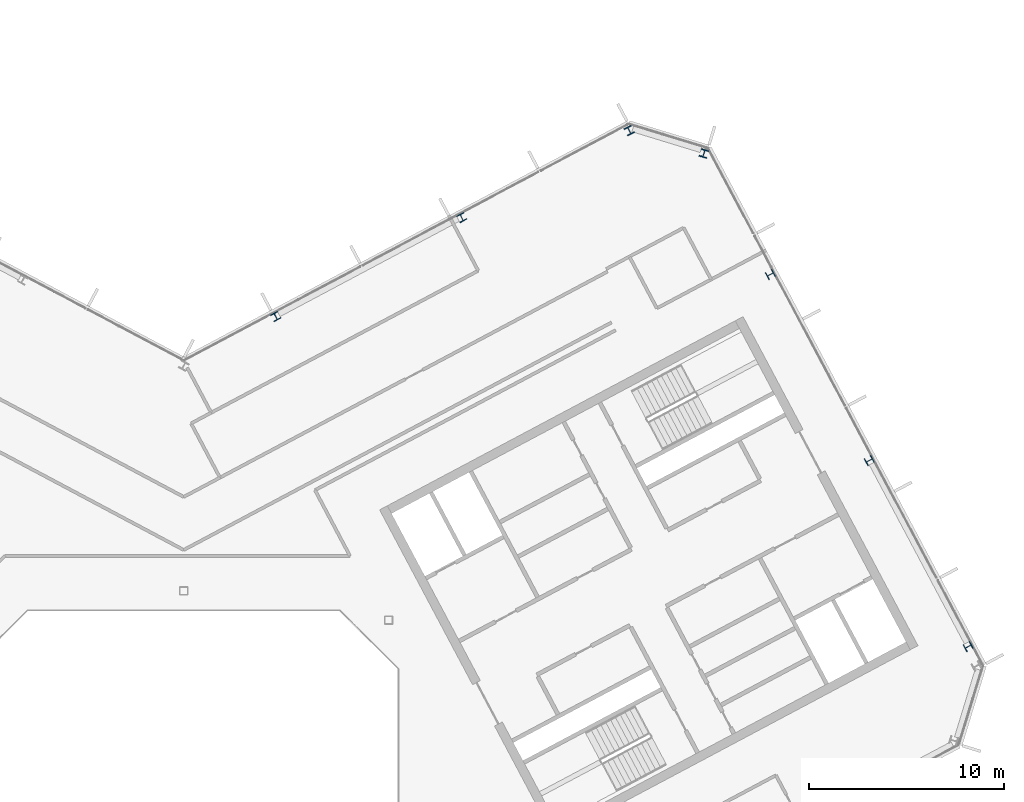
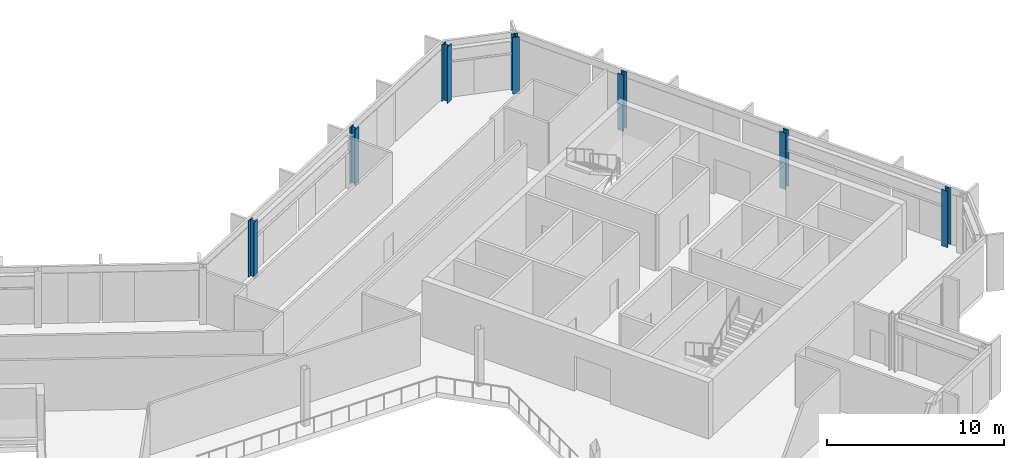
# One storey, part 7 of 26: 7 columns.
"""IFC4 building model written with IfcOpenShell, lengths in metres."""

from ifc_helpers import new_model, si_unit, direction, frame, origin, origin_2d, place, context, subcontext, project, spatial, i_section, extrude, material, material_profile, profile_set, type_object, element, save


model = new_model("IFC4")

# Units and contexts
model_context = context("Model", 3, precision=1e-05, world=origin(), true_north=direction((0.0, 1.0)))
body_context = subcontext(model_context, "Body", "Model", "MODEL_VIEW")
ifc_project = project(units=[si_unit("LENGTHUNIT", "METRE"), si_unit("AREAUNIT", "SQUARE_METRE"), si_unit("VOLUMEUNIT", "CUBIC_METRE"), si_unit("PLANEANGLEUNIT", "RADIAN"), si_unit("MASSUNIT", "GRAM", prefix="KILO")], contexts=[model_context])

# Site, building, storey
site_placement = place(None, origin())
site = spatial("IfcSite", under=ifc_project, at=site_placement, CompositionType="ELEMENT")
building_placement = place(site_placement, origin())
building = spatial("IfcBuilding", under=site, at=building_placement, Name="Cormorant Relay Tower", CompositionType="ELEMENT")
storey_placement = place(building_placement, frame((0.0, 0.0, 285.300048828125)))
storey = spatial("IfcBuildingStorey", under=building, at=storey_placement, Name="L64", CompositionType="ELEMENT", Elevation=285.300048828125)

# Columns
ifc_material_1 = material(Name="Steel ASTM A992 (Fy 345 MPa)", Category="steel")
ifc_material_profile_1 = material_profile(ifc_material_1, i_section(OverallWidth=0.398681640625, OverallDepth=0.385986328125, WebThickness=0.02099609375, FlangeThickness=0.033203125, FilletRadius=0.01513671875, at=origin_2d()), Name="W360x262")
ifc_profile_set_1 = profile_set([ifc_material_profile_1], Name="Steel ASTM A992 (Fy 345 MPa)")
column_type_1 = type_object("IfcColumnType", Name="Column W360x262", PredefinedType="COLUMN", material=ifc_profile_set_1)
for number, where, z_axis, x_axis, name in (
    (1, (40.2119140625, 9.14892578125, 0.0), (0.0, 0.0, 1.0), (-0.469471562786, 0.882947592859, 0.0), "Column L64-021"),
    (2, (35.14111328125, 18.68505859375, 0.0), (0.0, 0.0, 1.0), (-0.469471562786, 0.882947592859, 0.0), "Column L64-027"),
    (3, (4.715087890625, 26.06494140625, 0.0), (0.0, 0.0, 1.0), (-0.882947592859, -0.469471562786, 0.0), "Column L64-031"),
    (4, (30.071044921875, 28.220947265625, 0.0), (0.0, 0.0, 1.0), (-0.469471562786, 0.882947592859, 0.0), "Column L64-033"),
    (5, (14.2509765625, 31.135009765625, 0.0), (0.0, 0.0, 1.0), (-0.882947592859, -0.469471562786, 0.0), "Column L64-035"),
):
    element("IfcColumn", number, at=place(storey_placement, frame(where, z_axis=z_axis, x_axis=x_axis)), inside=storey, type_object=column_type_1, Name=name, PredefinedType="COLUMN", context=body_context, shape_type="SweptSolid", body=[
        extrude(i_section(OverallWidth=0.398681640625, OverallDepth=0.385986328125, WebThickness=0.02099609375, FlangeThickness=0.033203125, FilletRadius=0.01513671875, at=origin_2d()), origin(), (0.0, 0.0, 1.0), 3.89990234375),
    ])
ifc_material_2 = material(Name="Steel ASTM A992 (Fy 345 MPa)", Category="steel")
ifc_material_profile_2 = material_profile(ifc_material_2, i_section(OverallWidth=0.40380859375, OverallDepth=0.406494140625, WebThickness=0.027099609375, FlangeThickness=0.043701171875, FilletRadius=0.01513671875, at=origin_2d()), Name="W360x347")
ifc_profile_set_2 = profile_set([ifc_material_profile_2], Name="Steel ASTM A992 (Fy 345 MPa)")
column_type_2 = type_object("IfcColumnType", Name="Column W360x347", PredefinedType="COLUMN", material=ifc_profile_set_2)
for number, where, z_axis, x_axis, name in (
    (6, (26.6640625, 34.425048828125, 0.0), (0.0, 0.0, 1.0), (-0.956304755963, 0.292371704723, 0.0), "Column L64-038"),
    (7, (22.841064453125, 35.593994140625, 0.0), (0.0, 0.0, 1.0), (-0.882947592859, -0.469471562786, 0.0), "Column L64-039"),
):
    element("IfcColumn", number, at=place(storey_placement, frame(where, z_axis=z_axis, x_axis=x_axis)), inside=storey, type_object=column_type_2, Name=name, PredefinedType="COLUMN", context=body_context, shape_type="SweptSolid", body=[
        extrude(i_section(OverallWidth=0.40380859375, OverallDepth=0.406494140625, WebThickness=0.027099609375, FlangeThickness=0.043701171875, FilletRadius=0.01513671875, at=origin_2d()), origin(), (0.0, 0.0, 1.0), 3.89990234375),
    ])

save(model, "model.ifc")
